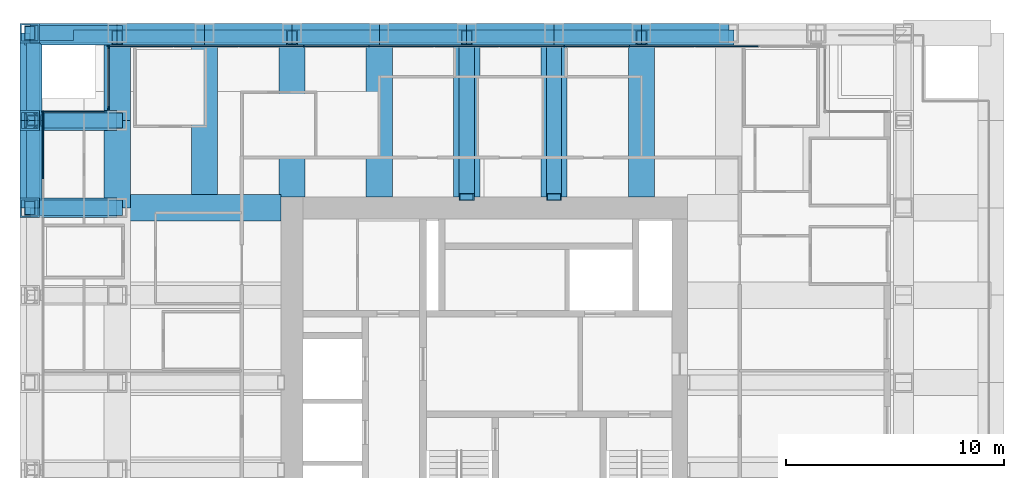
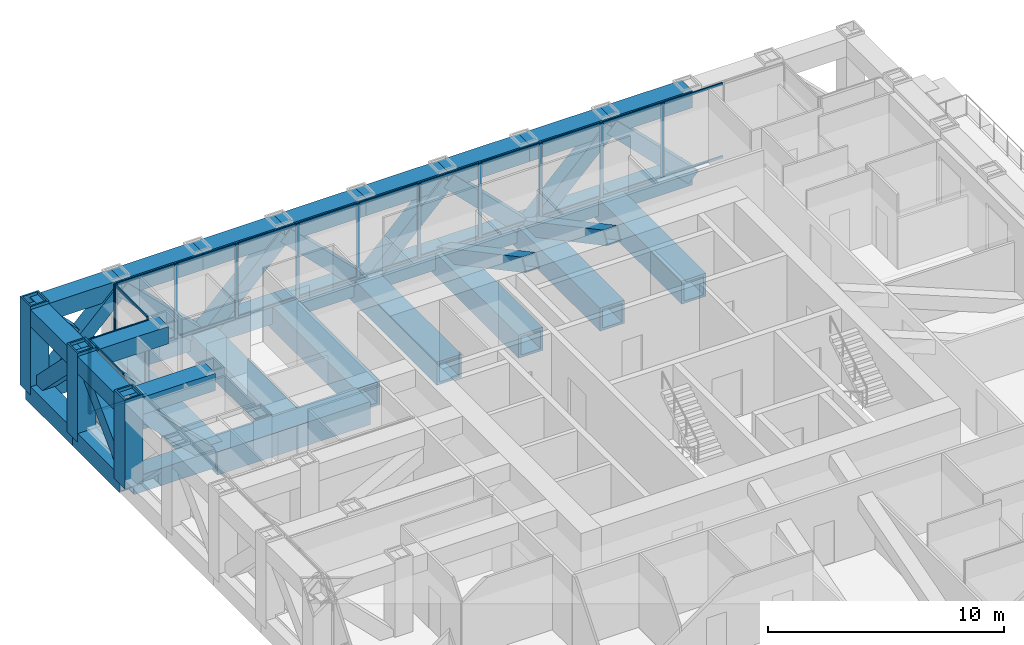
# One storey, part 6 of 14: 60 members, 33 beams, 4 elements without a shape of their own.
"""IFC4 building model written with IfcOpenShell, lengths in metres."""

import ifcopenshell
import ifcopenshell.guid

model = None  # the IFC model being written
_history = None  # IfcOwnerHistory: only IFC2X3 demands one
_inside = {}  # id of a spatial element -> (the spatial element, [elements in it])
_under = {}  # id of a project, library or spatial element -> (it, [spatial elements below it])
_declared = {}  # id of a project -> (the project, [libraries it declares])
_typed = {}  # id of a type object -> (the type object, [elements of that type])
_made_of = {}  # id of a material, layer set ... -> (it, [elements and type objects made of it])


def new_model(schema):
    """Start an empty IFC model of exactly this schema.

    Asked for "IFC4X3", IfcOpenShell would pick the latest addendum, in which some entities
    have other attributes; the version numbers below select the first issue.
    IFC2X3 requires an IfcOwnerHistory on every rooted entity: one is made here for all.
    """
    global model, _history
    if schema == "IFC4X3":
        model = ifcopenshell.file(schema_version=(4, 3, 0, 0))
    else:
        model = ifcopenshell.file(schema=schema)
    _inside.clear()
    _under.clear()
    _declared.clear()
    _typed.clear()
    _made_of.clear()
    _history = None
    if model.schema == "IFC2X3":
        org = make("IfcOrganization", Name="unknown")
        user = make(
            "IfcPersonAndOrganization",
            ThePerson=make("IfcPerson", FamilyName="unknown"),
            TheOrganization=org,
        )
        app = make(
            "IfcApplication",
            ApplicationDeveloper=org,
            Version="unknown",
            ApplicationFullName="unknown",
            ApplicationIdentifier="unknown",
        )
        _history = make(
            "IfcOwnerHistory",
            OwningUser=user,
            OwningApplication=app,
            ChangeAction="ADDED",
            CreationDate=0,
        )
    return model


def make(cls, **values):
    """One entity of the class cls with the attributes given. An attribute that is None is left unset."""
    return model.create_entity(
        cls, **{name: value for name, value in values.items() if value is not None}
    )


def rooted(cls, **values):
    """An entity with a GlobalId (a new one), such as an element, a storey or a relation."""
    return make(cls, GlobalId=ifcopenshell.guid.new(), OwnerHistory=_history, **values)


def si_unit(unit_type, name, prefix=None):
    """IfcSIUnit, for example si_unit("LENGTHUNIT", "METRE", prefix="MILLI")."""
    return make("IfcSIUnit", UnitType=unit_type, Prefix=prefix, Name=name)


def assignment(units):
    """IfcUnitAssignment: the units of a project."""
    return None if units is None else make("IfcUnitAssignment", Units=units)


def point(xyz):
    """IfcCartesianPoint."""
    return None if xyz is None else make("IfcCartesianPoint", Coordinates=xyz)


def direction(xyz):
    """IfcDirection."""
    return None if xyz is None else make("IfcDirection", DirectionRatios=xyz)


def frame(location, z_axis=None, x_axis=None):
    """IfcAxis2Placement3D, a coordinate frame: its origin and axes. An axis left out is left unset."""
    return make(
        "IfcAxis2Placement3D",
        Location=point(location),
        Axis=direction(z_axis),
        RefDirection=direction(x_axis),
    )


def frame_2d(location, x_axis=None):
    """IfcAxis2Placement2D, a coordinate frame in the plane: its origin and x axis."""
    return make(
        "IfcAxis2Placement2D", Location=point(location), RefDirection=direction(x_axis)
    )


def origin():
    """The frame at (0, 0, 0) with its axes left unset."""
    return frame((0.0, 0.0, 0.0))


def origin_2d():
    """The frame at (0, 0) in the plane with its x axis left unset."""
    return frame_2d((0.0, 0.0))


def place(relative_to, where):
    """IfcLocalPlacement: puts the frame where relative to a parent placement (None: the world)."""
    return make(
        "IfcLocalPlacement", PlacementRelTo=relative_to, RelativePlacement=where
    )


def context(
    kind, dimensions, precision=None, world=None, true_north=None, identifier=None
):
    """IfcGeometricRepresentationContext, for example the 3D "Model" context."""
    return make(
        "IfcGeometricRepresentationContext",
        ContextIdentifier=identifier,
        ContextType=kind,
        CoordinateSpaceDimension=dimensions,
        Precision=precision,
        WorldCoordinateSystem=world,
        TrueNorth=true_north,
    )


def subcontext(parent, identifier, kind, view, scale=None):
    """IfcGeometricRepresentationSubContext, for example "Body" below "Model"."""
    return make(
        "IfcGeometricRepresentationSubContext",
        ContextIdentifier=identifier,
        ContextType=kind,
        ParentContext=parent,
        TargetScale=scale,
        TargetView=view,
    )


def project(units=None, contexts=None):
    """IfcProject with its units and contexts."""
    return rooted(
        "IfcProject",
        Name="project",
        RepresentationContexts=contexts,
        UnitsInContext=assignment(units),
    )


def spatial(cls, under=None, at=None, **own):
    """A site, building, storey or space (cls), placed at a placement, below another one or the project."""
    s = rooted(cls, ObjectPlacement=at, **own)
    if under is not None:
        _under.setdefault(under.id(), (under, []))[1].append(s)
    return s


def profile(cls, at=None, kind="AREA", **sizes):
    """A parametric profile (cls). Its sizes go by their IFC names, for example OverallWidth=200.0."""
    return make(cls, ProfileType=kind, Position=at, **sizes)


def rectangle(**sizes):
    """IfcRectangleProfileDef."""
    return profile("IfcRectangleProfileDef", **sizes)


def hollow_rectangle(**sizes):
    """IfcRectangleHollowProfileDef."""
    return profile("IfcRectangleHollowProfileDef", **sizes)


def extrude(swept, where, along, depth):
    """IfcExtrudedAreaSolid: the profile swept, set in the frame where, extruded along a direction by depth."""
    return make(
        "IfcExtrudedAreaSolid",
        SweptArea=swept,
        Position=where,
        ExtrudedDirection=direction(along),
        Depth=depth,
    )


def shape(context_of_items, identifier, shape_type, items):
    """IfcShapeRepresentation: the items that make up one representation, for example the "Body"."""
    return make(
        "IfcShapeRepresentation",
        ContextOfItems=context_of_items,
        RepresentationIdentifier=identifier,
        RepresentationType=shape_type,
        Items=items,
    )


def material(Name=None, Category=None):
    """IfcMaterial."""
    return make("IfcMaterial", Name=Name, Category=Category)


def material_profile(
    of_material, cross_section, Name=None, Category=None, Priority=None
):
    """IfcMaterialProfile: a cross section and its material."""
    return make(
        "IfcMaterialProfile",
        Name=Name,
        Material=of_material,
        Profile=cross_section,
        Priority=Priority,
        Category=Category,
    )


def profile_set(profiles, Name=None, composite=None):
    """IfcMaterialProfileSet."""
    return make(
        "IfcMaterialProfileSet",
        Name=Name,
        MaterialProfiles=profiles,
        CompositeProfile=composite,
    )


def made_of(thing, what):
    """Note that an element or type object is made of a material, layer set ...; save() writes the relation."""
    if what is not None:
        _made_of.setdefault(what.id(), (what, []))[1].append(thing)
    return thing


def type_object(cls, material=None, **own):
    """A type object (cls), such as IfcWallType, which elements share."""
    return made_of(rooted(cls, **own), material)


def element(
    cls,
    number,
    at=None,
    inside=None,
    cuts=None,
    type_object=None,
    material=None,
    context=None,
    identifier="Body",
    shape_type=None,
    held_by="IfcProductDefinitionShape",
    body=None,
    shapes=None,
    **own,
):
    """One element of the class cls, such as IfcWall. Its Tag is "e" and its number.

    at: its placement. inside: the storey or other place that contains it. cuts: it is an
    opening in that element (IfcRelVoidsElement). A single representation is given by context,
    identifier, shape_type and body (its items); several are given by shapes. held_by: the class
    of the entity that holds the representations. save() writes the other relations.
    """
    e = rooted(cls, Tag="e%d" % number, ObjectPlacement=at, **own)
    if body is not None:
        shapes = [shape(context, identifier, shape_type, body)]
    if shapes is not None:
        e.Representation = make(held_by, Representations=shapes)
    if inside is not None:
        _inside.setdefault(inside.id(), (inside, []))[1].append(e)
    if cuts is not None:
        rooted(
            "IfcRelVoidsElement", RelatingBuildingElement=cuts, RelatedOpeningElement=e
        )
    if type_object is not None:
        _typed.setdefault(type_object.id(), (type_object, []))[1].append(e)
    return made_of(e, material)


def aggregate(whole, parts):
    """IfcRelAggregates: a whole, such as a stair, and the parts it consists of."""
    return rooted("IfcRelAggregates", RelatingObject=whole, RelatedObjects=parts)


def save(model, path):
    """Write the relations noted so far, then the file.

    IfcRelAggregates (storeys below a building ...), IfcRelContainedInSpatialStructure (elements
    in a storey), IfcRelDefinesByType, IfcRelAssociatesMaterial and IfcRelDeclares: one each for
    every whole, place, type object, material and project.
    """
    for whole, parts in _under.values():
        aggregate(whole, parts)
    for where, things in _inside.values():
        rooted(
            "IfcRelContainedInSpatialStructure",
            RelatedElements=things,
            RelatingStructure=where,
        )
    for kind, things in _typed.values():
        rooted("IfcRelDefinesByType", RelatedObjects=things, RelatingType=kind)
    for what, things in _made_of.values():
        rooted("IfcRelAssociatesMaterial", RelatedObjects=things, RelatingMaterial=what)
    for by, libraries in _declared.values():
        rooted("IfcRelDeclares", RelatingContext=by, RelatedDefinitions=libraries)
    model.write(path)


model = new_model("IFC4")

# Units and contexts
model_context = context("Model", 3, precision=1e-05, world=origin(), true_north=direction((0.0, 1.0)))
body_context = subcontext(model_context, "Body", "Model", "MODEL_VIEW")
ifc_project = project(units=[si_unit("LENGTHUNIT", "METRE"), si_unit("AREAUNIT", "SQUARE_METRE"), si_unit("VOLUMEUNIT", "CUBIC_METRE"), si_unit("PLANEANGLEUNIT", "RADIAN"), si_unit("MASSUNIT", "GRAM", prefix="KILO")], contexts=[model_context])

# Site, building, storey
site_placement = place(None, origin())
site = spatial("IfcSite", under=ifc_project, at=site_placement, CompositionType="ELEMENT")
building_placement = place(site_placement, origin())
building = spatial("IfcBuilding", under=site, at=building_placement, Name="Rimbunsela Tower", CompositionType="ELEMENT")
storey_placement = place(building_placement, frame((0.0, 0.0, 270.199951171875)))
storey = spatial("IfcBuildingStorey", under=building, at=storey_placement, Name="L65", CompositionType="ELEMENT", Elevation=270.199951171875)

# Beams
ifc_material_1 = material(Name="Steel BJ 55 (fy 410 MPa)", Category="steel")
ifc_material_profile_1 = material_profile(ifc_material_1, hollow_rectangle(XDim=1.199951171875, YDim=1.199951171875, WallThickness=0.125, at=origin_2d()), Name="BOX 1200x1200x125")
ifc_profile_set_1 = profile_set([ifc_material_profile_1], Name="Steel BJ 55 (fy 410 MPa)")
beam_type_1 = type_object("IfcBeamType", Name="Beam BOX 1200x1200x125", PredefinedType="BEAM", material=ifc_profile_set_1)
beam_1_placement = place(storey_placement, frame((10.0, 36.0, -0.75), z_axis=(0.0, 1.0, 0.0), x_axis=(-1.0, 0.0, 0.0)))
element("IfcBeam", 1, at=beam_1_placement, inside=storey, type_object=beam_type_1, Name="Beam B4 L65", PredefinedType="BEAM", context=body_context, shape_type="SweptSolid", body=[
    extrude(hollow_rectangle(XDim=1.199951171875, YDim=1.199951171875, WallThickness=0.125, at=origin_2d()), origin(), (0.0, 0.0, 1.0), 4.0),
])
beam_2_placement = place(storey_placement, frame((10.0, 36.0, -0.75), z_axis=(1.0, 0.0, 0.0), x_axis=(0.0, 1.0, 0.0)))
element("IfcBeam", 2, at=beam_2_placement, inside=storey, type_object=beam_type_1, Name="Beam B4 L65", PredefinedType="BEAM", context=body_context, shape_type="SweptSolid", body=[
    extrude(hollow_rectangle(XDim=1.199951171875, YDim=1.199951171875, WallThickness=0.125, at=origin_2d()), origin(), (0.0, 0.0, 1.0), 7.5),
])
beam_3_placement = place(storey_placement, frame((10.0, 40.0, -0.75), z_axis=(0.0, 1.0, 0.0), x_axis=(-1.0, 0.0, 0.0)))
element("IfcBeam", 3, at=beam_3_placement, inside=storey, type_object=beam_type_1, Name="Beam B4 L65", PredefinedType="BEAM", context=body_context, shape_type="SweptSolid", body=[
    extrude(hollow_rectangle(XDim=1.199951171875, YDim=1.199951171875, WallThickness=0.125, at=origin_2d()), origin(), (0.0, 0.0, 1.0), 4.0),
])
beam_4_placement = place(storey_placement, frame((14.0, 36.60009765625, -0.75), z_axis=(0.0, 1.0, 0.0), x_axis=(-1.0, 0.0, 0.0)))
element("IfcBeam", 4, at=beam_4_placement, inside=storey, type_object=beam_type_1, Name="Beam B4 L65", PredefinedType="BEAM", context=body_context, shape_type="SweptSolid", body=[
    extrude(hollow_rectangle(XDim=1.199951171875, YDim=1.199951171875, WallThickness=0.125, at=origin_2d()), origin(), (0.0, 0.0, 1.0), 7.39990234375),
])
for number, where, z_axis, x_axis, name in (
    (5, (18.0, 36.5, -0.75), (0.0, 1.0, 0.0), (-1.0, 0.0, 0.0), "Beam B4 L65"),
    (6, (22.0, 36.5, -0.75), (0.0, 1.0, 0.0), (-1.0, 0.0, 0.0), "Beam B4 L65"),
    (7, (26.0, 36.5, -0.75), (0.0, 1.0, 0.0), (-1.0, 0.0, 0.0), "Beam B4 L65"),
    (8, (30.0, 36.5, -0.75), (0.0, 1.0, 0.0), (-1.0, 0.0, 0.0), "Beam B4 L65"),
    (9, (34.0, 36.5, -0.75), (0.0, 1.0, 0.0), (-1.0, 0.0, 0.0), "Beam B4 L65"),
):
    element("IfcBeam", number, at=place(storey_placement, frame(where, z_axis=z_axis, x_axis=x_axis)), inside=storey, type_object=beam_type_1, Name=name, PredefinedType="BEAM", context=body_context, shape_type="SweptSolid", body=[
        extrude(hollow_rectangle(XDim=1.199951171875, YDim=1.199951171875, WallThickness=0.125, at=origin_2d()), origin(), (0.0, 0.0, 1.0), 7.5),
    ])

# Curtain wall, members
ifc_material_2 = material(Name="Aluminium curtain wall", Category="aluminium")
curtain_wall_type_1 = type_object("IfcCurtainWallType", Name="Exoskeleton storey infill", PredefinedType="USERDEFINED", material=ifc_material_2)
curtain_wall_1_placement = place(storey_placement, origin())
curtain_wall_1 = element("IfcCurtainWall", 10, at=curtain_wall_1_placement, inside=storey, type_object=curtain_wall_type_1, Name="Exoskeleton storey infill L65", ObjectType="EXOSKELETON STOREY INFILL", PredefinedType="USERDEFINED")
ifc_material_3 = material(Name="Aluminium mullion", Category="aluminium")
ifc_material_profile_2 = material_profile(ifc_material_3, rectangle(XDim=0.06005859375, YDim=0.159912109375, at=origin_2d()), Name="Mullion 60x160")
ifc_profile_set_2 = profile_set([ifc_material_profile_2], Name="Aluminium mullion")
member_type_1 = type_object("IfcMemberType", Name="Curtain wall mullion 60x160", PredefinedType="MULLION", material=ifc_profile_set_2)
member_1_placement = place(storey_placement, frame((36.436279296875, 43.39990234375, 0.0), z_axis=(0.0, 0.0, 1.0), x_axis=(0.0, -1.0, 0.0)))
member_1 = element("IfcMember", 11, at=member_1_placement, type_object=member_type_1, Name="CW2 mullion 3", PredefinedType="MULLION", context=body_context, shape_type="SweptSolid", body=[
    extrude(rectangle(XDim=0.06005859375, YDim=0.159912109375, at=origin_2d()), origin(), (0.0, 0.0, 1.0), 3.85009765625),
])
member_2_placement = place(storey_placement, frame((33.45458984375, 43.39990234375, 0.0), z_axis=(0.0, 0.0, 1.0), x_axis=(0.0, -1.0, 0.0)))
member_2 = element("IfcMember", 12, at=member_2_placement, type_object=member_type_1, Name="CW2 mullion 4", PredefinedType="MULLION", context=body_context, shape_type="SweptSolid", body=[
    extrude(rectangle(XDim=0.06005859375, YDim=0.159912109375, at=origin_2d()), origin(), (0.0, 0.0, 1.0), 3.85009765625),
])
member_3_placement = place(storey_placement, frame((30.47265625, 43.39990234375, 0.0), z_axis=(0.0, 0.0, 1.0), x_axis=(0.0, -1.0, 0.0)))
member_3 = element("IfcMember", 13, at=member_3_placement, type_object=member_type_1, Name="CW2 mullion 5", PredefinedType="MULLION", context=body_context, shape_type="SweptSolid", body=[
    extrude(rectangle(XDim=0.06005859375, YDim=0.159912109375, at=origin_2d()), origin(), (0.0, 0.0, 1.0), 3.85009765625),
])
member_4_placement = place(storey_placement, frame((27.490966796875, 43.39990234375, 0.0), z_axis=(0.0, 0.0, 1.0), x_axis=(0.0, -1.0, 0.0)))
member_4 = element("IfcMember", 14, at=member_4_placement, type_object=member_type_1, Name="CW2 mullion 6", PredefinedType="MULLION", context=body_context, shape_type="SweptSolid", body=[
    extrude(rectangle(XDim=0.06005859375, YDim=0.159912109375, at=origin_2d()), origin(), (0.0, 0.0, 1.0), 3.85009765625),
])
member_5_placement = place(storey_placement, frame((24.509033203125, 43.39990234375, 0.0), z_axis=(0.0, 0.0, 1.0), x_axis=(0.0, -1.0, 0.0)))
member_5 = element("IfcMember", 15, at=member_5_placement, type_object=member_type_1, Name="CW2 mullion 7", PredefinedType="MULLION", context=body_context, shape_type="SweptSolid", body=[
    extrude(rectangle(XDim=0.06005859375, YDim=0.159912109375, at=origin_2d()), origin(), (0.0, 0.0, 1.0), 3.85009765625),
])
member_6_placement = place(storey_placement, frame((21.52734375, 43.39990234375, 0.0), z_axis=(0.0, 0.0, 1.0), x_axis=(0.0, -1.0, 0.0)))
member_6 = element("IfcMember", 16, at=member_6_placement, type_object=member_type_1, Name="CW2 mullion 8", PredefinedType="MULLION", context=body_context, shape_type="SweptSolid", body=[
    extrude(rectangle(XDim=0.06005859375, YDim=0.159912109375, at=origin_2d()), origin(), (0.0, 0.0, 1.0), 3.85009765625),
])
member_7_placement = place(storey_placement, frame((18.54541015625, 43.39990234375, 0.0), z_axis=(0.0, 0.0, 1.0), x_axis=(0.0, -1.0, 0.0)))
member_7 = element("IfcMember", 17, at=member_7_placement, type_object=member_type_1, Name="CW2 mullion 9", PredefinedType="MULLION", context=body_context, shape_type="SweptSolid", body=[
    extrude(rectangle(XDim=0.06005859375, YDim=0.159912109375, at=origin_2d()), origin(), (0.0, 0.0, 1.0), 3.85009765625),
])
member_8_placement = place(storey_placement, frame((15.563720703125, 43.39990234375, 0.0), z_axis=(0.0, 0.0, 1.0), x_axis=(0.0, -1.0, 0.0)))
member_8 = element("IfcMember", 18, at=member_8_placement, type_object=member_type_1, Name="CW2 mullion 10", PredefinedType="MULLION", context=body_context, shape_type="SweptSolid", body=[
    extrude(rectangle(XDim=0.06005859375, YDim=0.159912109375, at=origin_2d()), origin(), (0.0, 0.0, 1.0), 3.85009765625),
])
member_9_placement = place(storey_placement, frame((12.581787109375, 43.39990234375, 0.0), z_axis=(0.0, 0.0, 1.0), x_axis=(0.0, -1.0, 0.0)))
member_9 = element("IfcMember", 19, at=member_9_placement, type_object=member_type_1, Name="CW2 mullion 11", PredefinedType="MULLION", context=body_context, shape_type="SweptSolid", body=[
    extrude(rectangle(XDim=0.06005859375, YDim=0.159912109375, at=origin_2d()), origin(), (0.0, 0.0, 1.0), 3.85009765625),
])
member_10_placement = place(storey_placement, frame((9.6298828125, 43.39990234375, 0.0), z_axis=(0.0, 0.0, 1.0), x_axis=(0.0, -1.0, 0.0)))
member_10 = element("IfcMember", 20, at=member_10_placement, type_object=member_type_1, Name="CW2 mullion 12", PredefinedType="MULLION", context=body_context, shape_type="SweptSolid", body=[
    extrude(rectangle(XDim=0.06005859375, YDim=0.159912109375, at=origin_2d()), origin(), (0.0, 0.0, 1.0), 3.85009765625),
])

ifc_material_4 = material(Name="Aluminium curtain wall", Category="aluminium")
curtain_wall_type_2 = type_object("IfcCurtainWallType", Name="Corner glazing", PredefinedType="USERDEFINED", material=ifc_material_4)
curtain_wall_2_placement = place(storey_placement, origin())
curtain_wall_2 = element("IfcCurtainWall", 21, at=curtain_wall_2_placement, inside=storey, type_object=curtain_wall_type_2, Name="Corner glazing L65", ObjectType="CORNER GLAZING", PredefinedType="USERDEFINED")
member_11_placement = place(storey_placement, frame((9.60009765625, 43.3701171875, 0.0), z_axis=(0.0, 0.0, 1.0), x_axis=(1.0, 0.0, 0.0)))
member_11 = element("IfcMember", 22, at=member_11_placement, type_object=member_type_1, Name="CW5 mullion 1", PredefinedType="MULLION", context=body_context, shape_type="SweptSolid", body=[
    extrude(rectangle(XDim=0.06005859375, YDim=0.159912109375, at=origin_2d()), origin(), (0.0, 0.0, 1.0), 3.85009765625),
])
member_12_placement = place(storey_placement, frame((9.60009765625, 40.580078125, 0.0), z_axis=(0.0, 0.0, 1.0), x_axis=(1.0, 0.0, 0.0)))
member_12 = element("IfcMember", 23, at=member_12_placement, type_object=member_type_1, Name="CW5 mullion 2", PredefinedType="MULLION", context=body_context, shape_type="SweptSolid", body=[
    extrude(rectangle(XDim=0.06005859375, YDim=0.159912109375, at=origin_2d()), origin(), (0.0, 0.0, 1.0), 3.85009765625),
])

ifc_material_5 = material(Name="Aluminium curtain wall", Category="aluminium")
curtain_wall_type_3 = type_object("IfcCurtainWallType", Name="Spandrel wall", PredefinedType="USERDEFINED", material=ifc_material_5)
curtain_wall_3_placement = place(storey_placement, origin())
curtain_wall_3 = element("IfcCurtainWall", 24, at=curtain_wall_3_placement, inside=storey, type_object=curtain_wall_type_3, Name="Spandrel wall L65", ObjectType="SPANDREL WALL", PredefinedType="USERDEFINED")
member_13_placement = place(storey_placement, frame((9.419921875, 40.39990234375, 0.0), z_axis=(0.0, 0.0, 1.0), x_axis=(0.0, -1.0, 0.0)))
member_13 = element("IfcMember", 25, at=member_13_placement, type_object=member_type_1, Name="CW7 mullion 1", PredefinedType="MULLION", context=body_context, shape_type="SweptSolid", body=[
    extrude(rectangle(XDim=0.06005859375, YDim=0.159912109375, at=origin_2d()), origin(), (0.0, 0.0, 1.0), 3.85009765625),
])
member_14_placement = place(storey_placement, frame((6.6298828125, 40.39990234375, 0.0), z_axis=(0.0, 0.0, 1.0), x_axis=(0.0, -1.0, 0.0)))
member_14 = element("IfcMember", 26, at=member_14_placement, type_object=member_type_1, Name="CW7 mullion 2", PredefinedType="MULLION", context=body_context, shape_type="SweptSolid", body=[
    extrude(rectangle(XDim=0.06005859375, YDim=0.159912109375, at=origin_2d()), origin(), (0.0, 0.0, 1.0), 3.85009765625),
])

curtain_wall_4_placement = place(storey_placement, origin())
curtain_wall_4 = element("IfcCurtainWall", 27, at=curtain_wall_4_placement, inside=storey, type_object=curtain_wall_type_1, Name="Exoskeleton storey infill L65", ObjectType="EXOSKELETON STOREY INFILL", PredefinedType="USERDEFINED")
member_15_placement = place(storey_placement, frame((6.60009765625, 40.3701171875, 0.0), z_axis=(0.0, 0.0, 1.0), x_axis=(1.0, 0.0, 0.0)))
member_15 = element("IfcMember", 28, at=member_15_placement, type_object=member_type_1, Name="CW2 mullion 1", PredefinedType="MULLION", context=body_context, shape_type="SweptSolid", body=[
    extrude(rectangle(XDim=0.06005859375, YDim=0.159912109375, at=origin_2d()), origin(), (0.0, 0.0, 1.0), 3.85009765625),
])
member_16_placement = place(storey_placement, frame((6.60009765625, 37.418212890625, 0.0), z_axis=(0.0, 0.0, 1.0), x_axis=(1.0, 0.0, 0.0)))
member_16 = element("IfcMember", 29, at=member_16_placement, type_object=member_type_1, Name="CW2 mullion 2", PredefinedType="MULLION", context=body_context, shape_type="SweptSolid", body=[
    extrude(rectangle(XDim=0.06005859375, YDim=0.159912109375, at=origin_2d()), origin(), (0.0, 0.0, 1.0), 3.85009765625),
])

# Member
ifc_material_6 = material(Name="Aluminium transom", Category="aluminium")
ifc_material_profile_3 = material_profile(ifc_material_6, rectangle(XDim=0.06005859375, YDim=0.1201171875, at=origin_2d()), Name="Transom 60x120")
ifc_profile_set_3 = profile_set([ifc_material_profile_3], Name="Aluminium transom")
member_type_2 = type_object("IfcMemberType", Name="Curtain wall transom 60x120", PredefinedType="USERDEFINED", material=ifc_profile_set_3)
member_17_placement = place(storey_placement, frame((39.38818359375, 43.39990234375, 0.030029296875), z_axis=(-1.0, 0.0, 0.0), x_axis=(0.0, -1.0, 0.0)))
member_17 = element("IfcMember", 30, at=member_17_placement, type_object=member_type_2, Name="CW2 transom 2.1", ObjectType="TRANSOM", PredefinedType="USERDEFINED", context=body_context, shape_type="SweptSolid", body=[
    extrude(rectangle(XDim=0.06005859375, YDim=0.1201171875, at=origin_2d()), origin(), (0.0, 0.0, 1.0), 2.921875),
])

member_18_placement = place(storey_placement, frame((39.38818359375, 43.39990234375, 3.820068359375), z_axis=(-1.0, 0.0, 0.0), x_axis=(0.0, -1.0, 0.0)))
member_18 = element("IfcMember", 31, at=member_18_placement, type_object=member_type_2, Name="CW2 transom 2.2", ObjectType="TRANSOM", PredefinedType="USERDEFINED", context=body_context, shape_type="SweptSolid", body=[
    extrude(rectangle(XDim=0.06005859375, YDim=0.1201171875, at=origin_2d()), origin(), (0.0, 0.0, 1.0), 2.921875),
])

member_19_placement = place(storey_placement, frame((36.40625, 43.39990234375, 0.030029296875), z_axis=(-1.0, 0.0, 0.0), x_axis=(0.0, -1.0, 0.0)))
member_19 = element("IfcMember", 32, at=member_19_placement, type_object=member_type_2, Name="CW2 transom 3.1", ObjectType="TRANSOM", PredefinedType="USERDEFINED", context=body_context, shape_type="SweptSolid", body=[
    extrude(rectangle(XDim=0.06005859375, YDim=0.1201171875, at=origin_2d()), origin(), (0.0, 0.0, 1.0), 2.921630859375),
])

member_20_placement = place(storey_placement, frame((36.40625, 43.39990234375, 3.820068359375), z_axis=(-1.0, 0.0, 0.0), x_axis=(0.0, -1.0, 0.0)))
member_20 = element("IfcMember", 33, at=member_20_placement, type_object=member_type_2, Name="CW2 transom 3.2", ObjectType="TRANSOM", PredefinedType="USERDEFINED", context=body_context, shape_type="SweptSolid", body=[
    extrude(rectangle(XDim=0.06005859375, YDim=0.1201171875, at=origin_2d()), origin(), (0.0, 0.0, 1.0), 2.921630859375),
])

member_21_placement = place(storey_placement, frame((33.424560546875, 43.39990234375, 0.030029296875), z_axis=(-1.0, 0.0, 0.0), x_axis=(0.0, -1.0, 0.0)))
member_21 = element("IfcMember", 34, at=member_21_placement, type_object=member_type_2, Name="CW2 transom 4.1", ObjectType="TRANSOM", PredefinedType="USERDEFINED", context=body_context, shape_type="SweptSolid", body=[
    extrude(rectangle(XDim=0.06005859375, YDim=0.1201171875, at=origin_2d()), origin(), (0.0, 0.0, 1.0), 2.921875),
])

member_22_placement = place(storey_placement, frame((33.424560546875, 43.39990234375, 3.820068359375), z_axis=(-1.0, 0.0, 0.0), x_axis=(0.0, -1.0, 0.0)))
member_22 = element("IfcMember", 35, at=member_22_placement, type_object=member_type_2, Name="CW2 transom 4.2", ObjectType="TRANSOM", PredefinedType="USERDEFINED", context=body_context, shape_type="SweptSolid", body=[
    extrude(rectangle(XDim=0.06005859375, YDim=0.1201171875, at=origin_2d()), origin(), (0.0, 0.0, 1.0), 2.921875),
])

member_23_placement = place(storey_placement, frame((30.442626953125, 43.39990234375, 0.030029296875), z_axis=(-1.0, 0.0, 0.0), x_axis=(0.0, -1.0, 0.0)))
member_23 = element("IfcMember", 36, at=member_23_placement, type_object=member_type_2, Name="CW2 transom 5.1", ObjectType="TRANSOM", PredefinedType="USERDEFINED", context=body_context, shape_type="SweptSolid", body=[
    extrude(rectangle(XDim=0.06005859375, YDim=0.1201171875, at=origin_2d()), origin(), (0.0, 0.0, 1.0), 2.921630859375),
])

member_24_placement = place(storey_placement, frame((30.442626953125, 43.39990234375, 3.820068359375), z_axis=(-1.0, 0.0, 0.0), x_axis=(0.0, -1.0, 0.0)))
member_24 = element("IfcMember", 37, at=member_24_placement, type_object=member_type_2, Name="CW2 transom 5.2", ObjectType="TRANSOM", PredefinedType="USERDEFINED", context=body_context, shape_type="SweptSolid", body=[
    extrude(rectangle(XDim=0.06005859375, YDim=0.1201171875, at=origin_2d()), origin(), (0.0, 0.0, 1.0), 2.921630859375),
])

member_25_placement = place(storey_placement, frame((27.4609375, 43.39990234375, 0.030029296875), z_axis=(-1.0, 0.0, 0.0), x_axis=(0.0, -1.0, 0.0)))
member_25 = element("IfcMember", 38, at=member_25_placement, type_object=member_type_2, Name="CW2 transom 6.1", ObjectType="TRANSOM", PredefinedType="USERDEFINED", context=body_context, shape_type="SweptSolid", body=[
    extrude(rectangle(XDim=0.06005859375, YDim=0.1201171875, at=origin_2d()), origin(), (0.0, 0.0, 1.0), 2.921875),
])

member_26_placement = place(storey_placement, frame((27.4609375, 43.39990234375, 3.820068359375), z_axis=(-1.0, 0.0, 0.0), x_axis=(0.0, -1.0, 0.0)))
member_26 = element("IfcMember", 39, at=member_26_placement, type_object=member_type_2, Name="CW2 transom 6.2", ObjectType="TRANSOM", PredefinedType="USERDEFINED", context=body_context, shape_type="SweptSolid", body=[
    extrude(rectangle(XDim=0.06005859375, YDim=0.1201171875, at=origin_2d()), origin(), (0.0, 0.0, 1.0), 2.921875),
])

member_27_placement = place(storey_placement, frame((24.47900390625, 43.39990234375, 0.030029296875), z_axis=(-1.0, 0.0, 0.0), x_axis=(0.0, -1.0, 0.0)))
member_27 = element("IfcMember", 40, at=member_27_placement, type_object=member_type_2, Name="CW2 transom 7.1", ObjectType="TRANSOM", PredefinedType="USERDEFINED", context=body_context, shape_type="SweptSolid", body=[
    extrude(rectangle(XDim=0.06005859375, YDim=0.1201171875, at=origin_2d()), origin(), (0.0, 0.0, 1.0), 2.921630859375),
])

member_28_placement = place(storey_placement, frame((24.47900390625, 43.39990234375, 3.820068359375), z_axis=(-1.0, 0.0, 0.0), x_axis=(0.0, -1.0, 0.0)))
member_28 = element("IfcMember", 41, at=member_28_placement, type_object=member_type_2, Name="CW2 transom 7.2", ObjectType="TRANSOM", PredefinedType="USERDEFINED", context=body_context, shape_type="SweptSolid", body=[
    extrude(rectangle(XDim=0.06005859375, YDim=0.1201171875, at=origin_2d()), origin(), (0.0, 0.0, 1.0), 2.921630859375),
])

member_29_placement = place(storey_placement, frame((21.497314453125, 43.39990234375, 0.030029296875), z_axis=(-1.0, 0.0, 0.0), x_axis=(0.0, -1.0, 0.0)))
member_29 = element("IfcMember", 42, at=member_29_placement, type_object=member_type_2, Name="CW2 transom 8.1", ObjectType="TRANSOM", PredefinedType="USERDEFINED", context=body_context, shape_type="SweptSolid", body=[
    extrude(rectangle(XDim=0.06005859375, YDim=0.1201171875, at=origin_2d()), origin(), (0.0, 0.0, 1.0), 2.921875),
])

member_30_placement = place(storey_placement, frame((21.497314453125, 43.39990234375, 3.820068359375), z_axis=(-1.0, 0.0, 0.0), x_axis=(0.0, -1.0, 0.0)))
member_30 = element("IfcMember", 43, at=member_30_placement, type_object=member_type_2, Name="CW2 transom 8.2", ObjectType="TRANSOM", PredefinedType="USERDEFINED", context=body_context, shape_type="SweptSolid", body=[
    extrude(rectangle(XDim=0.06005859375, YDim=0.1201171875, at=origin_2d()), origin(), (0.0, 0.0, 1.0), 2.921875),
])

member_31_placement = place(storey_placement, frame((18.515380859375, 43.39990234375, 0.030029296875), z_axis=(-1.0, 0.0, 0.0), x_axis=(0.0, -1.0, 0.0)))
member_31 = element("IfcMember", 44, at=member_31_placement, type_object=member_type_2, Name="CW2 transom 9.1", ObjectType="TRANSOM", PredefinedType="USERDEFINED", context=body_context, shape_type="SweptSolid", body=[
    extrude(rectangle(XDim=0.06005859375, YDim=0.1201171875, at=origin_2d()), origin(), (0.0, 0.0, 1.0), 2.921630859375),
])

member_32_placement = place(storey_placement, frame((18.515380859375, 43.39990234375, 3.820068359375), z_axis=(-1.0, 0.0, 0.0), x_axis=(0.0, -1.0, 0.0)))
member_32 = element("IfcMember", 45, at=member_32_placement, type_object=member_type_2, Name="CW2 transom 9.2", ObjectType="TRANSOM", PredefinedType="USERDEFINED", context=body_context, shape_type="SweptSolid", body=[
    extrude(rectangle(XDim=0.06005859375, YDim=0.1201171875, at=origin_2d()), origin(), (0.0, 0.0, 1.0), 2.921630859375),
])

member_33_placement = place(storey_placement, frame((15.53369140625, 43.39990234375, 0.030029296875), z_axis=(-1.0, 0.0, 0.0), x_axis=(0.0, -1.0, 0.0)))
member_33 = element("IfcMember", 46, at=member_33_placement, type_object=member_type_2, Name="CW2 transom 10.1", ObjectType="TRANSOM", PredefinedType="USERDEFINED", context=body_context, shape_type="SweptSolid", body=[
    extrude(rectangle(XDim=0.06005859375, YDim=0.1201171875, at=origin_2d()), origin(), (0.0, 0.0, 1.0), 2.921875),
])

member_34_placement = place(storey_placement, frame((15.53369140625, 43.39990234375, 3.820068359375), z_axis=(-1.0, 0.0, 0.0), x_axis=(0.0, -1.0, 0.0)))
member_34 = element("IfcMember", 47, at=member_34_placement, type_object=member_type_2, Name="CW2 transom 10.2", ObjectType="TRANSOM", PredefinedType="USERDEFINED", context=body_context, shape_type="SweptSolid", body=[
    extrude(rectangle(XDim=0.06005859375, YDim=0.1201171875, at=origin_2d()), origin(), (0.0, 0.0, 1.0), 2.921875),
])

member_35_placement = place(storey_placement, frame((12.5517578125, 43.39990234375, 0.030029296875), z_axis=(-1.0, 0.0, 0.0), x_axis=(0.0, -1.0, 0.0)))
member_35 = element("IfcMember", 48, at=member_35_placement, type_object=member_type_2, Name="CW2 transom 11.1", ObjectType="TRANSOM", PredefinedType="USERDEFINED", context=body_context, shape_type="SweptSolid", body=[
    extrude(rectangle(XDim=0.06005859375, YDim=0.1201171875, at=origin_2d()), origin(), (0.0, 0.0, 1.0), 2.891845703125),
])

member_36_placement = place(storey_placement, frame((12.5517578125, 43.39990234375, 3.820068359375), z_axis=(-1.0, 0.0, 0.0), x_axis=(0.0, -1.0, 0.0)))
member_36 = element("IfcMember", 49, at=member_36_placement, type_object=member_type_2, Name="CW2 transom 11.2", ObjectType="TRANSOM", PredefinedType="USERDEFINED", context=body_context, shape_type="SweptSolid", body=[
    extrude(rectangle(XDim=0.06005859375, YDim=0.1201171875, at=origin_2d()), origin(), (0.0, 0.0, 1.0), 2.891845703125),
])

aggregate(curtain_wall_1, [member_1, member_2, member_3, member_4, member_5, member_6, member_7, member_8, member_9, member_10, member_17, member_18, member_19, member_20, member_21, member_22, member_23, member_24, member_25, member_26, member_27, member_28, member_29, member_30, member_31, member_32, member_33, member_34, member_35, member_36])

member_37_placement = place(storey_placement, frame((9.60009765625, 43.340087890625, 0.030029296875), z_axis=(0.0, -1.0, 0.0), x_axis=(1.0, 0.0, 0.0)))
member_37 = element("IfcMember", 50, at=member_37_placement, type_object=member_type_2, Name="CW5 transom 1.1", ObjectType="TRANSOM", PredefinedType="USERDEFINED", context=body_context, shape_type="SweptSolid", body=[
    extrude(rectangle(XDim=0.06005859375, YDim=0.1201171875, at=origin_2d()), origin(), (0.0, 0.0, 1.0), 2.72998046875),
])

member_38_placement = place(storey_placement, frame((9.60009765625, 43.340087890625, 3.820068359375), z_axis=(0.0, -1.0, 0.0), x_axis=(1.0, 0.0, 0.0)))
member_38 = element("IfcMember", 51, at=member_38_placement, type_object=member_type_2, Name="CW5 transom 1.2", ObjectType="TRANSOM", PredefinedType="USERDEFINED", context=body_context, shape_type="SweptSolid", body=[
    extrude(rectangle(XDim=0.06005859375, YDim=0.1201171875, at=origin_2d()), origin(), (0.0, 0.0, 1.0), 2.72998046875),
])

aggregate(curtain_wall_2, [member_11, member_12, member_37, member_38])

member_39_placement = place(storey_placement, frame((9.389892578125, 40.39990234375, 0.030029296875), z_axis=(-1.0, 0.0, 0.0), x_axis=(0.0, -1.0, 0.0)))
member_39 = element("IfcMember", 52, at=member_39_placement, type_object=member_type_2, Name="CW7 transom 1.1", ObjectType="TRANSOM", PredefinedType="USERDEFINED", context=body_context, shape_type="SweptSolid", body=[
    extrude(rectangle(XDim=0.06005859375, YDim=0.1201171875, at=origin_2d()), origin(), (0.0, 0.0, 1.0), 2.72998046875),
])

member_40_placement = place(storey_placement, frame((9.389892578125, 40.39990234375, 3.820068359375), z_axis=(-1.0, 0.0, 0.0), x_axis=(0.0, -1.0, 0.0)))
member_40 = element("IfcMember", 53, at=member_40_placement, type_object=member_type_2, Name="CW7 transom 1.2", ObjectType="TRANSOM", PredefinedType="USERDEFINED", context=body_context, shape_type="SweptSolid", body=[
    extrude(rectangle(XDim=0.06005859375, YDim=0.1201171875, at=origin_2d()), origin(), (0.0, 0.0, 1.0), 2.72998046875),
])

aggregate(curtain_wall_3, [member_13, member_14, member_39, member_40])

member_41_placement = place(storey_placement, frame((6.60009765625, 40.340087890625, 0.030029296875), z_axis=(0.0, -1.0, 0.0), x_axis=(1.0, 0.0, 0.0)))
member_41 = element("IfcMember", 54, at=member_41_placement, type_object=member_type_2, Name="CW2 transom 1.1", ObjectType="TRANSOM", PredefinedType="USERDEFINED", context=body_context, shape_type="SweptSolid", body=[
    extrude(rectangle(XDim=0.06005859375, YDim=0.1201171875, at=origin_2d()), origin(), (0.0, 0.0, 1.0), 2.891845703125),
])

member_42_placement = place(storey_placement, frame((6.60009765625, 40.340087890625, 3.820068359375), z_axis=(0.0, -1.0, 0.0), x_axis=(1.0, 0.0, 0.0)))
member_42 = element("IfcMember", 55, at=member_42_placement, type_object=member_type_2, Name="CW2 transom 1.2", ObjectType="TRANSOM", PredefinedType="USERDEFINED", context=body_context, shape_type="SweptSolid", body=[
    extrude(rectangle(XDim=0.06005859375, YDim=0.1201171875, at=origin_2d()), origin(), (0.0, 0.0, 1.0), 2.891845703125),
])

aggregate(curtain_wall_4, [member_15, member_16, member_41, member_42])

# Members
ifc_material_7 = material(Name="Steel BJ 55 (fy 410 MPa)", Category="steel")
ifc_material_profile_4 = material_profile(ifc_material_7, hollow_rectangle(XDim=0.699951171875, YDim=0.699951171875, WallThickness=0.050048828125, at=origin_2d()), Name="BOX 700x700x50")
ifc_profile_set_4 = profile_set([ifc_material_profile_4], Name="Steel BJ 55 (fy 410 MPa)")
member_type_3 = type_object("IfcMemberType", Name="Outrigger brace BOX 700x700x50", PredefinedType="BRACE", material=ifc_profile_set_4)
for number, where, z_axis, x_axis, name in (
    (56, (26.0, 44.0, -0.599853515625), (0.0, -0.882352941176, 0.470588235294), (1.0, 0.0, 0.0), "Outrigger brace OB2 N L65"),
    (57, (30.0, 44.0, -0.599853515625), (0.0, -0.882352941176, 0.470588235294), (1.0, 0.0, 0.0), "Outrigger brace OB2 N L65"),
):
    element("IfcMember", number, at=place(storey_placement, frame(where, z_axis=z_axis, x_axis=x_axis)), inside=storey, type_object=member_type_3, Name=name, PredefinedType="BRACE", context=body_context, shape_type="SweptSolid", body=[
        extrude(hollow_rectangle(XDim=0.699951171875, YDim=0.699951171875, WallThickness=0.050048828125, at=origin_2d()), origin(), (0.0, 0.0, 1.0), 8.5),
    ])

# Beams
ifc_material_8 = material(Name="Steel BJ 55 (fy 410 MPa)", Category="steel")
ifc_material_profile_5 = material_profile(ifc_material_8, hollow_rectangle(XDim=0.89990234375, YDim=0.89990234375, WallThickness=0.06005859375, at=origin_2d()), Name="BOX 900x900x60")
ifc_profile_set_5 = profile_set([ifc_material_profile_5], Name="Steel BJ 55 (fy 410 MPa)")
beam_type_2 = type_object("IfcBeamType", Name="Truss chord BOX 900x900x60", PredefinedType="USERDEFINED", material=ifc_profile_set_5)
for number, where, z_axis, x_axis, name in (
    (58, (6.0, 44.0, 3.400146484375), (1.0, 0.0, 0.0), (0.0, 1.0, 0.0), "Truss top chord TC4 N face L65"),
    (59, (10.0, 44.0, 3.400146484375), (1.0, 0.0, 0.0), (0.0, 1.0, 0.0), "Truss top chord TC4 N face L65"),
    (60, (14.0, 44.0, 3.400146484375), (1.0, 0.0, 0.0), (0.0, 1.0, 0.0), "Truss top chord TC4 N face L65"),
    (61, (18.0, 44.0, 3.400146484375), (1.0, 0.0, 0.0), (0.0, 1.0, 0.0), "Truss top chord TC4 N face L65"),
    (62, (22.0, 44.0, 3.400146484375), (1.0, 0.0, 0.0), (0.0, 1.0, 0.0), "Truss top chord TC4 N face L65"),
    (63, (26.0, 44.0, 3.400146484375), (1.0, 0.0, 0.0), (0.0, 1.0, 0.0), "Truss top chord TC4 N face L65"),
    (64, (30.0, 44.0, 3.400146484375), (1.0, 0.0, 0.0), (0.0, 1.0, 0.0), "Truss top chord TC4 N face L65"),
    (65, (34.0, 44.0, 3.400146484375), (1.0, 0.0, 0.0), (0.0, 1.0, 0.0), "Truss top chord TC4 N face L65"),
    (66, (6.0, 36.0, 3.400146484375), (0.0, 1.0, 0.0), (-1.0, 0.0, 0.0), "Truss top chord TC4 W face L65"),
    (67, (6.0, 40.0, 3.400146484375), (0.0, 1.0, 0.0), (-1.0, 0.0, 0.0), "Truss top chord TC4 W face L65"),
    (68, (10.0, 44.0, -0.599853515625), (1.0, 0.0, 0.0), (0.0, 1.0, 0.0), "Truss bottom chord TC4 N face L65"),
    (69, (14.0, 44.0, -0.599853515625), (1.0, 0.0, 0.0), (0.0, 1.0, 0.0), "Truss bottom chord TC4 N face L65"),
    (70, (18.0, 44.0, -0.599853515625), (1.0, 0.0, 0.0), (0.0, 1.0, 0.0), "Truss bottom chord TC4 N face L65"),
    (71, (22.0, 44.0, -0.599853515625), (1.0, 0.0, 0.0), (0.0, 1.0, 0.0), "Truss bottom chord TC4 N face L65"),
    (72, (26.0, 44.0, -0.599853515625), (1.0, 0.0, 0.0), (0.0, 1.0, 0.0), "Truss bottom chord TC4 N face L65"),
    (73, (30.0, 44.0, -0.599853515625), (1.0, 0.0, 0.0), (0.0, 1.0, 0.0), "Truss bottom chord TC4 N face L65"),
    (74, (34.0, 44.0, -0.599853515625), (1.0, 0.0, 0.0), (0.0, 1.0, 0.0), "Truss bottom chord TC4 N face L65"),
    (75, (6.0, 44.0, -0.599853515625), (1.0, 0.0, 0.0), (0.0, 1.0, 0.0), "Truss bottom chord TC4 N face L65"),
    (76, (10.0, 36.0, -0.599853515625), (-1.0, 0.0, 0.0), (0.0, -1.0, 0.0), "Cantilever truss bottom chord TC4 4/L L65"),
    (77, (10.0, 36.0, 3.400146484375), (-1.0, 0.0, 0.0), (0.0, -1.0, 0.0), "Cantilever truss top chord TC4 4/L L65"),
    (78, (10.0, 40.0, -0.599853515625), (-1.0, 0.0, 0.0), (0.0, -1.0, 0.0), "Cantilever truss bottom chord TC4 4/M L65"),
    (79, (10.0, 40.0, 3.400146484375), (-1.0, 0.0, 0.0), (0.0, -1.0, 0.0), "Cantilever truss top chord TC4 4/M L65"),
    (80, (6.0, 36.0, -0.599853515625), (0.0, 1.0, 0.0), (-1.0, 0.0, 0.0), "Truss bottom chord TC4 W face L65"),
    (81, (6.0, 40.0, -0.599853515625), (0.0, 1.0, 0.0), (-1.0, 0.0, 0.0), "Truss bottom chord TC4 W face L65"),
):
    element("IfcBeam", number, at=place(storey_placement, frame(where, z_axis=z_axis, x_axis=x_axis)), inside=storey, type_object=beam_type_2, Name=name, ObjectType="TRUSS CHORD", PredefinedType="USERDEFINED", context=body_context, shape_type="SweptSolid", body=[
        extrude(hollow_rectangle(XDim=0.89990234375, YDim=0.89990234375, WallThickness=0.06005859375, at=origin_2d()), origin(), (0.0, 0.0, 1.0), 4.0),
    ])

# Members
ifc_material_9 = material(Name="Steel BJ 55 (fy 410 MPa)", Category="steel")
ifc_material_profile_6 = material_profile(ifc_material_9, hollow_rectangle(XDim=0.699951171875, YDim=0.699951171875, WallThickness=0.050048828125, at=origin_2d()), Name="BOX 700x700x50")
ifc_profile_set_6 = profile_set([ifc_material_profile_6], Name="Steel BJ 55 (fy 410 MPa)")
member_type_4 = type_object("IfcMemberType", Name="Truss diagonal BOX 700x700x50", PredefinedType="BRACE", material=ifc_profile_set_6)
for number, where, z_axis, x_axis, name in (
    (82, (6.0, 43.800048828125, -0.599853515625), (0.707106781187, 0.0, 0.707106781187), (0.0, 1.0, 0.0), "Truss diagonal TD4 N face L65"),
    (83, (10.0, 43.800048828125, 3.400146484375), (0.707106781187, 0.0, -0.707106781187), (0.0, 1.0, 0.0), "Truss diagonal TD4 N face L65"),
    (84, (14.0, 43.800048828125, -0.599853515625), (0.707106781187, 0.0, 0.707106781187), (0.0, 1.0, 0.0), "Truss diagonal TD4 N face L65"),
    (85, (18.0, 43.800048828125, 3.400146484375), (0.707106781187, 0.0, -0.707106781187), (0.0, 1.0, 0.0), "Truss diagonal TD4 N face L65"),
    (86, (22.0, 43.800048828125, -0.599853515625), (0.707106781187, 0.0, 0.707106781187), (0.0, 1.0, 0.0), "Truss diagonal TD4 N face L65"),
    (87, (26.0, 43.800048828125, 3.400146484375), (0.707106781187, 0.0, -0.707106781187), (0.0, 1.0, 0.0), "Truss diagonal TD4 N face L65"),
    (88, (30.0, 43.800048828125, -0.599853515625), (0.707106781187, 0.0, 0.707106781187), (0.0, 1.0, 0.0), "Truss diagonal TD4 N face L65"),
    (89, (34.0, 43.800048828125, 3.400146484375), (0.707106781187, 0.0, -0.707106781187), (0.0, 1.0, 0.0), "Truss diagonal TD4 N face L65"),
    (90, (6.199951171875, 36.0, -0.599853515625), (0.0, 0.707106781187, 0.707106781187), (-1.0, 0.0, 0.0), "Truss diagonal TD4 W face L65"),
    (91, (6.199951171875, 40.0, 3.400146484375), (0.0, 0.707106781187, -0.707106781187), (-1.0, 0.0, 0.0), "Truss diagonal TD4 W face L65"),
    (92, (10.0, 36.0, -0.599853515625), (-0.707106781187, 0.0, 0.707106781187), (0.0, -1.0, 0.0), "Cantilever truss diagonal TD4 4/L L65"),
    (93, (10.0, 40.0, -0.599853515625), (-0.707106781187, 0.0, 0.707106781187), (0.0, -1.0, 0.0), "Cantilever truss diagonal TD4 4/M L65"),
    (94, (10.0, 44.0, -0.599853515625), (-0.707106781187, 0.0, 0.707106781187), (0.0, -1.0, 0.0), "Cantilever truss diagonal TD4 4/N L65"),
):
    element("IfcMember", number, at=place(storey_placement, frame(where, z_axis=z_axis, x_axis=x_axis)), inside=storey, type_object=member_type_4, Name=name, PredefinedType="BRACE", context=body_context, shape_type="SweptSolid", body=[
        extrude(hollow_rectangle(XDim=0.699951171875, YDim=0.699951171875, WallThickness=0.050048828125, at=origin_2d()), origin(), (0.0, 0.0, 1.0), 5.65673828125),
    ])
ifc_material_10 = material(Name="Steel BJ 55 (fy 410 MPa)", Category="steel")
ifc_material_profile_7 = material_profile(ifc_material_10, hollow_rectangle(XDim=0.89990234375, YDim=0.89990234375, WallThickness=0.080078125, at=origin_2d()), Name="BOX 900x900x80")
ifc_profile_set_7 = profile_set([ifc_material_profile_7], Name="Steel BJ 55 (fy 410 MPa)")
member_type_5 = type_object("IfcMemberType", Name="Truss post BOX 900x900x80", PredefinedType="POST", material=ifc_profile_set_7)
for number, where, z_axis, x_axis, name in (
    (95, (6.0, 36.0, -0.599853515625), (0.0, 0.0, 1.0), (1.0, 0.0, 0.0), "Truss post TP3 4/L L65"),
    (96, (6.0, 40.0, -0.599853515625), (0.0, 0.0, 1.0), (1.0, 0.0, 0.0), "Truss post TP3 4/M L65"),
    (97, (6.0, 44.0, -0.599853515625), (0.0, 0.0, 1.0), (1.0, 0.0, 0.0), "Truss post TP3 4/N L65"),
):
    element("IfcMember", number, at=place(storey_placement, frame(where, z_axis=z_axis, x_axis=x_axis)), inside=storey, type_object=member_type_5, Name=name, PredefinedType="POST", context=body_context, shape_type="SweptSolid", body=[
        extrude(hollow_rectangle(XDim=0.89990234375, YDim=0.89990234375, WallThickness=0.080078125, at=origin_2d()), origin(), (0.0, 0.0, 1.0), 4.599853515625),
    ])

save(model, "model.ifc")
